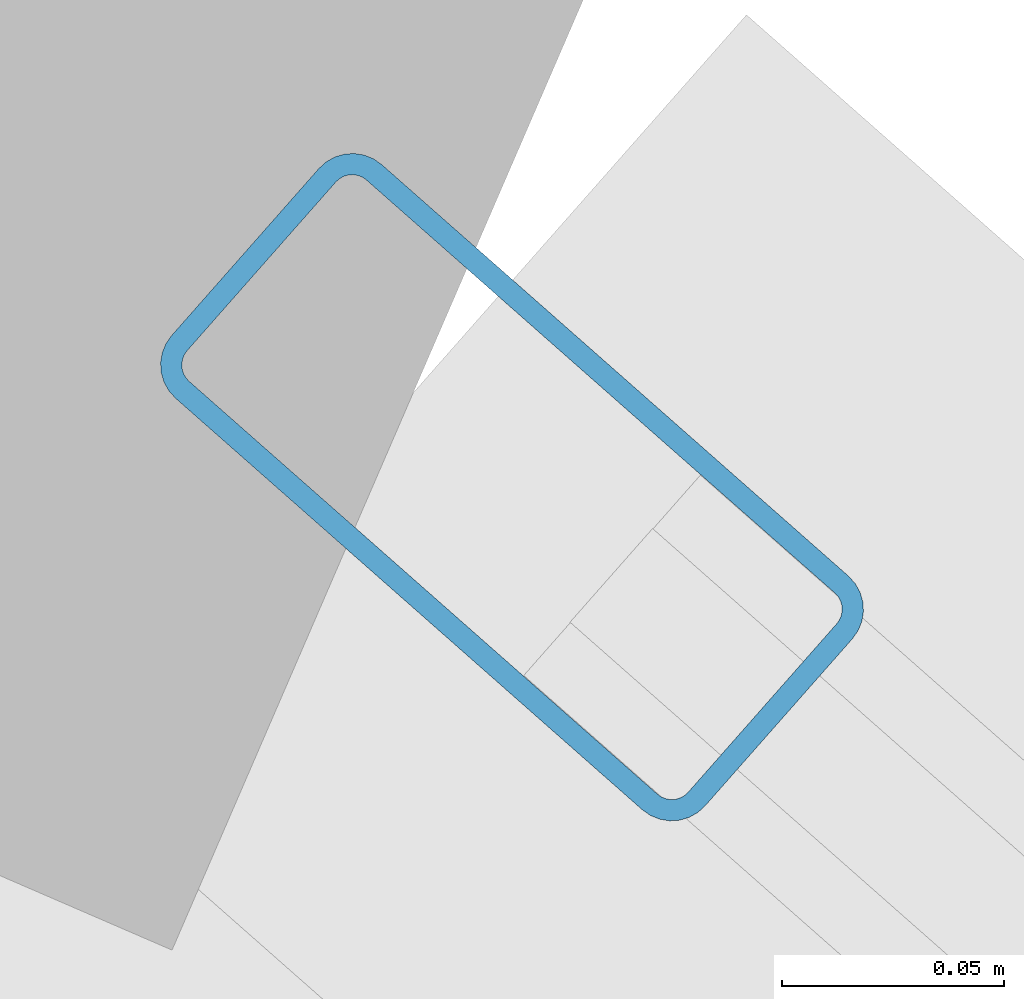
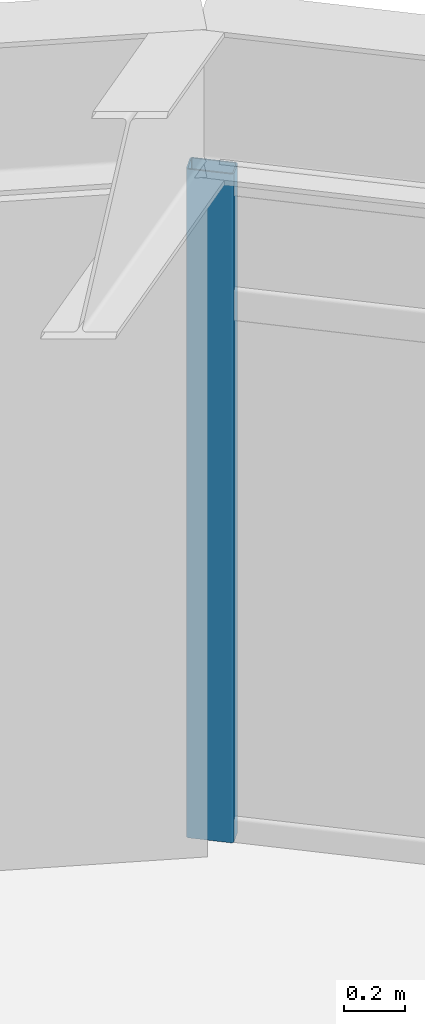
# One storey, part 14 of 21: 1 member, 1 element without a shape of its own.
"""IFC4 building model written with IfcOpenShell, lengths in metres."""

from ifc_helpers import new_model, si_unit, direction, frame, origin, origin_2d, place, context, subcontext, project, spatial, hollow_rectangle, extrude, material, layer, layer_set, material_profile, profile_set, type_object, element, aggregate, save


model = new_model("IFC4")

# Units and contexts
model_context = context("Model", 3, precision=1e-05, world=origin(), true_north=direction((0.0, 1.0)))
body_context = subcontext(model_context, "Body", "Model", "MODEL_VIEW")
ifc_project = project(units=[si_unit("LENGTHUNIT", "METRE"), si_unit("AREAUNIT", "SQUARE_METRE"), si_unit("VOLUMEUNIT", "CUBIC_METRE"), si_unit("PLANEANGLEUNIT", "RADIAN"), si_unit("MASSUNIT", "GRAM", prefix="KILO")], contexts=[model_context])

# Site, building, storey
site_placement = place(None, origin())
site = spatial("IfcSite", under=ifc_project, at=site_placement, CompositionType="ELEMENT")
building_placement = place(site_placement, origin())
building = spatial("IfcBuilding", under=site, at=building_placement, Name="Soratama Intermodal Tower", CompositionType="ELEMENT")
storey_placement = place(building_placement, frame((0.0, 0.0, 146.199951171875)))
storey = spatial("IfcBuildingStorey", under=building, at=storey_placement, Name="L35", CompositionType="ELEMENT", Elevation=146.199951171875)

# Curtain wall, member
ifc_material_1 = material(Name="Double-glazed aluminium curtain wall", Category="aluminium")
ifc_layer = layer(ifc_material_1, 0.159912109375)
ifc_layer_set = layer_set([ifc_layer], Name="Double-glazed aluminium curtain wall")
curtain_wall_type = type_object("IfcCurtainWallType", Name="CW-SYS-4", PredefinedType="NOTDEFINED", material=ifc_layer_set)
curtain_wall_placement = place(storey_placement, origin())
curtain_wall = element("IfcCurtainWall", 1, at=curtain_wall_placement, inside=storey, type_object=curtain_wall_type, Name="L35 Faceted Curtain Wall F01", PredefinedType="NOTDEFINED")
ifc_material_2 = material(Name="Anodised aluminium AA 6063-T6", Category="aluminium")
ifc_material_profile = material_profile(ifc_material_2, hollow_rectangle(XDim=0.070068359375, YDim=0.159912109375, WallThickness=0.0048828125, InnerFilletRadius=0.0048828125, OuterFilletRadius=0.010009765625, at=origin_2d()), Name="CWM160X70X5")
ifc_profile_set = profile_set([ifc_material_profile], Name="Anodised aluminium AA 6063-T6")
member_type = type_object("IfcMemberType", Name="MT-CWM-4", PredefinedType="MULLION", material=ifc_profile_set)
member_placement = place(storey_placement, frame((53.597900390625, 41.061767578125, 0.0), z_axis=(0.0, 0.0, 1.0), x_axis=(-0.661309138052, -0.750113474035, 0.0)))
member = element("IfcMember", 2, at=member_placement, type_object=member_type, Name="CW-4 mullion 2", PredefinedType="MULLION", context=body_context, shape_type="SweptSolid", body=[
    extrude(hollow_rectangle(XDim=0.070068359375, YDim=0.159912109375, WallThickness=0.0048828125, InnerFilletRadius=0.0048828125, OuterFilletRadius=0.010009765625, at=origin_2d()), origin(), (0.0, 0.0, 1.0), 2.678955078125),
])
aggregate(curtain_wall, [member])

save(model, "model.ifc")
